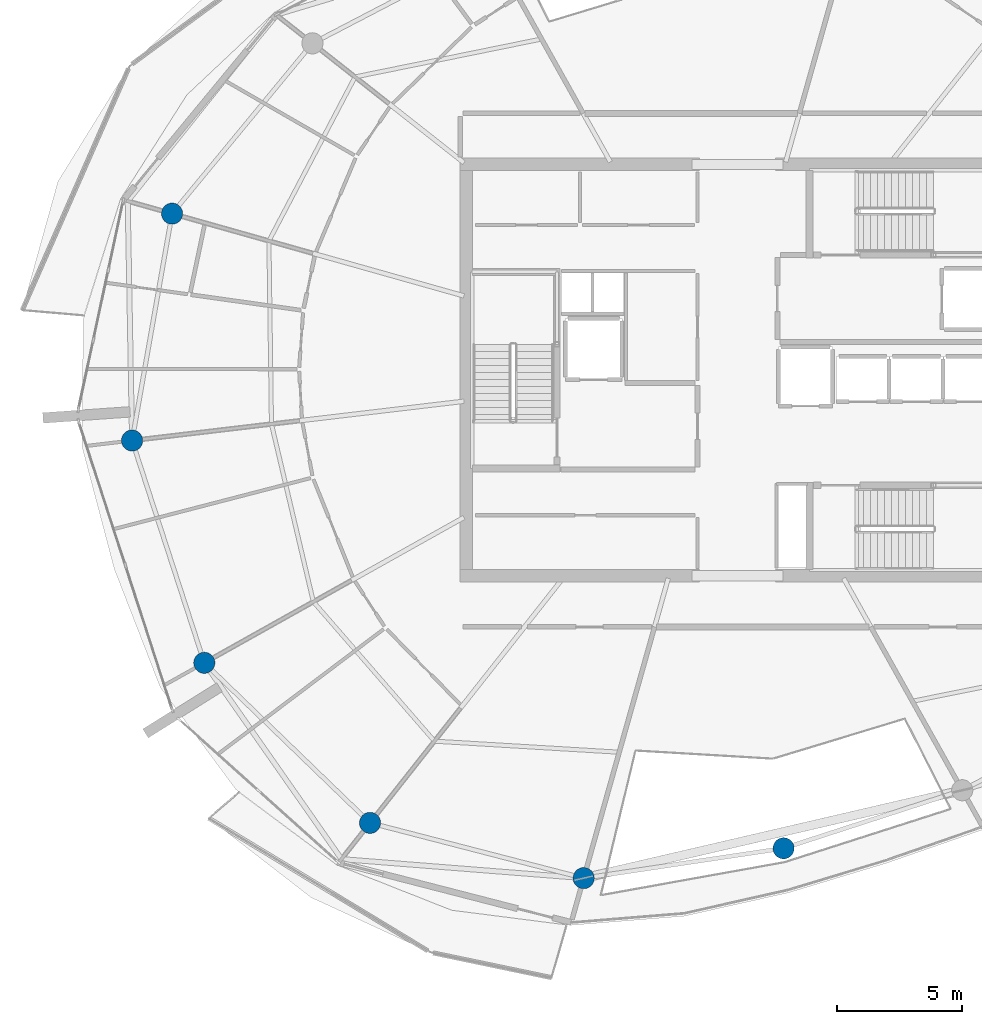
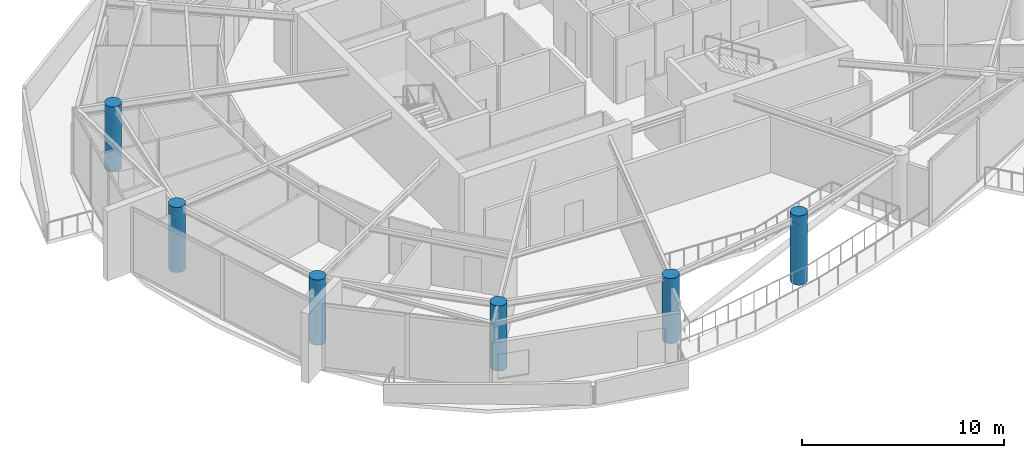
# One storey, part 1 of 22: 6 columns.
"""IFC4 building model written with IfcOpenShell, lengths in metres."""

from ifc_helpers import new_model, si_unit, direction, frame, origin, origin_2d, place, context, subcontext, project, spatial, circle, extrude, material, material_profile, profile_set, type_object, element, save


model = new_model("IFC4")

# Units and contexts
model_context = context("Model", 3, precision=1e-05, world=origin(), true_north=direction((0.0, 1.0)))
body_context = subcontext(model_context, "Body", "Model", "MODEL_VIEW")
ifc_project = project(units=[si_unit("LENGTHUNIT", "METRE"), si_unit("AREAUNIT", "SQUARE_METRE"), si_unit("VOLUMEUNIT", "CUBIC_METRE"), si_unit("PLANEANGLEUNIT", "RADIAN"), si_unit("MASSUNIT", "GRAM", prefix="KILO")], contexts=[model_context])

# Site, building, storey
site_placement = place(None, origin())
site = spatial("IfcSite", under=ifc_project, at=site_placement, CompositionType="ELEMENT")
building_placement = place(site_placement, origin())
building = spatial("IfcBuilding", under=site, at=building_placement, Name="Kazma Halo Residences", CompositionType="ELEMENT")
storey_placement = place(building_placement, frame((0.0, 0.0, 326.300048828125)))
storey = spatial("IfcBuildingStorey", under=building, at=storey_placement, Name="L82", CompositionType="ELEMENT", Elevation=326.300048828125)

# Columns
ifc_material = material(Name="Concrete C60/75", Category="concrete")
ifc_material_profile = material_profile(ifc_material, circle(Radius=0.425048828125, at=origin_2d()), Name="CIRC850")
ifc_profile_set = profile_set([ifc_material_profile], Name="Concrete C60/75")
column_type = type_object("IfcColumnType", Name="COL-PERIM-850", PredefinedType="COLUMN", material=ifc_profile_set)
for number, where, z_axis, x_axis, name in (
    (1, (25.744384765625, 48.276611328125, 0.0), (0.0, 0.0, 1.0), (1.0, 0.0, 0.0), "L82 perimeter ring column P07"),
    (2, (24.1396484375, 39.17578125, 0.0), (0.0, 0.0, 1.0), (1.0, 0.0, 0.0), "L82 perimeter ring column P08"),
    (3, (27.03662109375, 30.260009765625, 0.0), (0.0, 0.0, 1.0), (1.0, 0.0, 0.0), "L82 perimeter ring column P09"),
    (4, (33.68408203125, 23.840576171875, 0.0), (0.0, 0.0, 1.0), (1.0, 0.0, 0.0), "L82 perimeter ring column P10"),
    (5, (42.25341796875, 21.62353515625, 0.0), (0.0, 0.0, 1.0), (1.0, 0.0, 0.0), "L82 perimeter ring column P11"),
):
    element("IfcColumn", number, at=place(storey_placement, frame(where, z_axis=z_axis, x_axis=x_axis)), inside=storey, type_object=column_type, Name=name, PredefinedType="COLUMN", context=body_context, shape_type="SweptSolid", body=[
        extrude(circle(Radius=0.425048828125, at=origin_2d()), origin(), (0.0, 0.0, 1.0), 3.93994140625),
    ])
column_placement = place(storey_placement, frame((50.27001953125, 22.82080078125, 0.0), z_axis=(0.0, 0.0, 1.0), x_axis=(1.0, 0.0, 0.0)))
element("IfcColumn", 6, at=column_placement, inside=storey, type_object=column_type, Name="L82 perimeter ring column P12", PredefinedType="COLUMN", context=body_context, shape_type="SweptSolid", body=[
    extrude(circle(Radius=0.425048828125, at=origin_2d()), origin(), (0.0, 0.0, 1.0), 4.196044921875),
])

save(model, "model.ifc")
